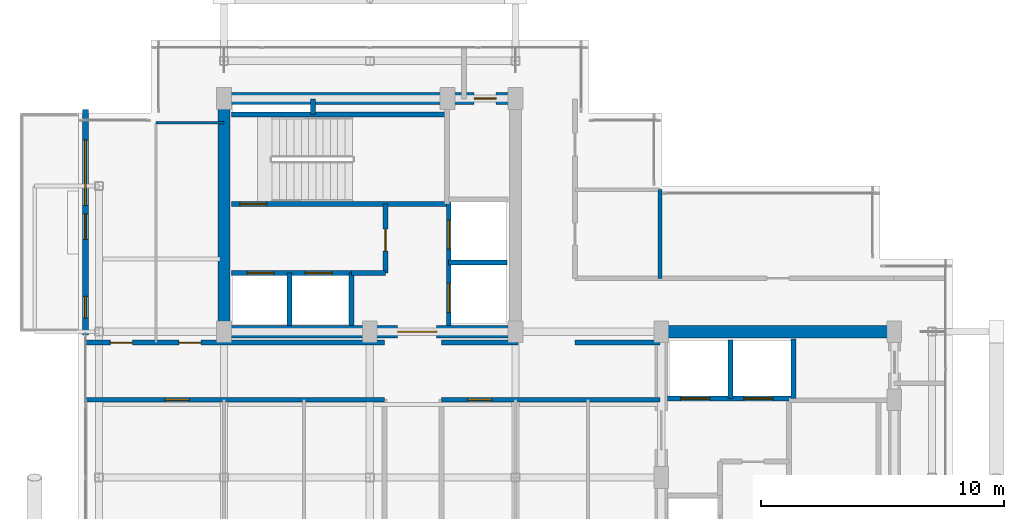
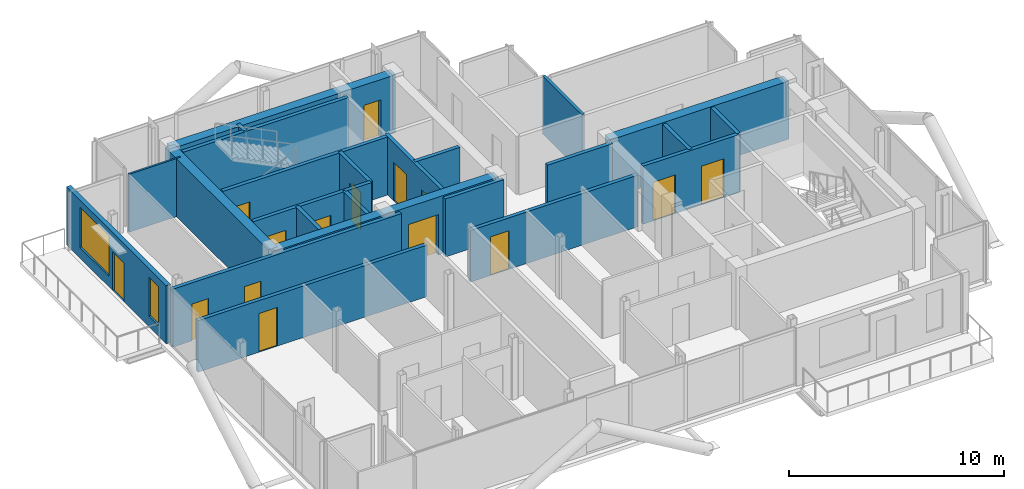
# One storey, part 16 of 19: 25 walls, 15 doors, 2 windows, 17 openings.
"""IFC4 building model written with IfcOpenShell, lengths in metres."""

from ifc_helpers import new_model, si_unit, direction, frame, frame_2d, origin, place, context, subcontext, project, spatial, rectangle, extrude, material, layer, layer_set, type_object, element, fill, save


model = new_model("IFC4")

# Units and contexts
model_context = context("Model", 3, precision=1e-05, world=origin(), true_north=direction((0.0, 1.0)))
body_context = subcontext(model_context, "Body", "Model", "MODEL_VIEW")
ifc_project = project(units=[si_unit("LENGTHUNIT", "METRE"), si_unit("AREAUNIT", "SQUARE_METRE"), si_unit("VOLUMEUNIT", "CUBIC_METRE"), si_unit("PLANEANGLEUNIT", "RADIAN"), si_unit("MASSUNIT", "GRAM", prefix="KILO"), si_unit("THERMODYNAMICTEMPERATUREUNIT", "KELVIN"), si_unit("POWERUNIT", "WATT")], contexts=[model_context])

# Site, building, storey
site_placement = place(None, origin())
site = spatial("IfcSite", under=ifc_project, at=site_placement, CompositionType="ELEMENT")
building_placement = place(site_placement, origin())
building = spatial("IfcBuilding", under=site, at=building_placement, Name="Svarakhadi Broadcast Tower", CompositionType="ELEMENT")
storey_placement = place(building_placement, frame((0.0, 0.0, 257.199951171875)))
storey = spatial("IfcBuildingStorey", under=building, at=storey_placement, Name="L64", CompositionType="ELEMENT", Elevation=257.199951171875)

# Wall, openings, door, windows
ifc_material_1 = material(Name="Concrete C40/50 (IS 456 M50)", Category="concrete")
ifc_layer_1 = layer(ifc_material_1, 0.239990234375)
ifc_layer_set_1 = layer_set([ifc_layer_1], Name="Concrete C40/50 (IS 456 M50)")
wall_type_1 = type_object("IfcWallType", Name="Wall_Ext_240", PredefinedType="SOLIDWALL", material=ifc_layer_set_1)
wall_1_placement = place(storey_placement, frame((0.300048828125, 17.85498046875, 0.0), z_axis=(0.0, 0.0, 1.0), x_axis=(0.0, 1.0, 0.0)))
wall_1 = element("IfcWall", 1, at=wall_1_placement, inside=storey, type_object=wall_type_1, Name="L64 West Tree Balcony Spandrel Wall", PredefinedType="SOLIDWALL", context=body_context, shape_type="SweptSolid", body=[
    extrude(rectangle(XDim=9.2900390625, YDim=0.239990234375, at=frame_2d((4.64501953125, 0.0))), origin(), (0.0, 0.0, 1.0), 3.300048828125),
])
opening_1_placement = place(wall_1_placement, frame((3.945068359375, 0.0, 0.0)))
opening_1 = element("IfcOpeningElement", 2, at=opening_1_placement, cuts=wall_1, Name="Opening ED-05", PredefinedType="OPENING", context=body_context, shape_type="SweptSolid", body=[
    extrude(rectangle(XDim=1.050048828125, YDim=2.199951171875, at=frame_2d((0.52490234375, 1.10009765625))), frame((0.0, 0.1298828125, 0.0), z_axis=(0.0, -1.0, 0.0), x_axis=(1.0, 0.0, 0.0)), (0.0, 0.0, 1.0), 0.260009765625),
])
opening_2_placement = place(wall_1_placement, frame((5.344970703125, 0.0, 0.60009765625)))
opening_2 = element("IfcOpeningElement", 3, at=opening_2_placement, cuts=wall_1, Name="Opening WN-07", PredefinedType="OPENING", context=body_context, shape_type="SweptSolid", body=[
    extrude(rectangle(XDim=2.699951171875, YDim=2.300048828125, at=frame_2d((1.35009765625, 1.14990234375))), frame((0.0, 0.1298828125, 0.0), z_axis=(0.0, -1.0, 0.0), x_axis=(1.0, 0.0, 0.0)), (0.0, 0.0, 1.0), 0.260009765625),
])
opening_3_placement = place(wall_1_placement, frame((0.699951171875, 0.0, 0.60009765625)))
opening_3 = element("IfcOpeningElement", 4, at=opening_3_placement, cuts=wall_1, Name="Opening WN-04", PredefinedType="OPENING", context=body_context, shape_type="SweptSolid", body=[
    extrude(rectangle(XDim=0.89990234375, YDim=2.199951171875, at=frame_2d((0.449951171875, 1.10009765625))), frame((0.0, 0.1298828125, 0.0), z_axis=(0.0, -1.0, 0.0), x_axis=(1.0, 0.0, 0.0)), (0.0, 0.0, 1.0), 0.260009765625),
])
ifc_material_2 = material(Name="Anodised Bronze Aluminium AA 6063-T6", Category="aluminium")
door_type_1 = type_object("IfcDoorType", Name="Door_Ext_ED05", OperationType="SINGLE_SWING_LEFT", PredefinedType="DOOR", material=ifc_material_2)
door_1_placement = place(opening_1_placement, origin())
door_1 = element("IfcDoor", 5, at=door_1_placement, inside=storey, type_object=door_type_1, Name="L64 West Tree Balcony Door", OperationType="SINGLE_SWING_LEFT", OverallHeight=2.199951171875, OverallWidth=1.050048828125, PredefinedType="DOOR", context=body_context, shape_type="SweptSolid", body=[
    extrude(rectangle(XDim=1.050048828125, YDim=2.199951171875, at=frame_2d((0.52490234375, 1.10009765625))), frame((0.0, 0.02490234375, 0.0), z_axis=(0.0, -1.0, 0.0), x_axis=(1.0, 0.0, 0.0)), (0.0, 0.0, 1.0), 0.050048828125),
])
fill(opening_1, door_1)
ifc_material_3 = material(Name="Double Low-E Laminated Acoustic Glass IGU 36 mm", Category="glass")
window_type_1 = type_object("IfcWindowType", Name="Win_Resi_WN07", PartitioningType="SINGLE_PANEL", PredefinedType="WINDOW", material=ifc_material_3)
window_1_placement = place(opening_2_placement, origin())
window_1 = element("IfcWindow", 6, at=window_1_placement, inside=storey, type_object=window_type_1, Name="L64 West Tree Balcony Window", OverallHeight=2.300048828125, OverallWidth=2.699951171875, PartitioningType="SINGLE_PANEL", PredefinedType="WINDOW", context=body_context, shape_type="SweptSolid", body=[
    extrude(rectangle(XDim=2.699951171875, YDim=2.300048828125, at=frame_2d((1.35009765625, 1.14990234375))), frame((0.0, 0.030029296875, 0.0), z_axis=(0.0, -1.0, 0.0), x_axis=(1.0, 0.0, 0.0)), (0.0, 0.0, 1.0), 0.06005859375),
])
fill(opening_2, window_1)
window_type_2 = type_object("IfcWindowType", Name="Win_Slot_WN04", PartitioningType="SINGLE_PANEL", PredefinedType="WINDOW", material=ifc_material_3)
window_2_placement = place(opening_3_placement, origin())
window_2 = element("IfcWindow", 7, at=window_2_placement, inside=storey, type_object=window_type_2, Name="L64 West Secondary Bedroom Slot Window", OverallHeight=2.199951171875, OverallWidth=0.89990234375, PartitioningType="SINGLE_PANEL", PredefinedType="WINDOW", context=body_context, shape_type="SweptSolid", body=[
    extrude(rectangle(XDim=0.89990234375, YDim=2.199951171875, at=frame_2d((0.449951171875, 1.10009765625))), frame((0.0, 0.030029296875, 0.0), z_axis=(0.0, -1.0, 0.0), x_axis=(1.0, 0.0, 0.0)), (0.0, 0.0, 1.0), 0.06005859375),
])
fill(opening_3, window_2)

# Wall
ifc_layer_2 = layer(ifc_material_1, 0.199951171875)
ifc_layer_set_2 = layer_set([ifc_layer_2], Name="Concrete C40/50 (IS 456 M50)")
wall_type_2 = type_object("IfcWallType", Name="Wall_Fire_200", PredefinedType="SOLIDWALL", material=ifc_layer_set_2)
wall_2_placement = place(storey_placement, frame((9.659912109375, 26.93994140625, 0.0), z_axis=(0.0, 0.0, 1.0), x_axis=(0.0, 1.0, 0.0)))
element("IfcWall", 8, at=wall_2_placement, inside=storey, type_object=wall_type_2, Name="L64 Wet Riser Shaft East Wall", PredefinedType="SOLIDWALL", context=body_context, shape_type="SweptSolid", body=[
    extrude(rectangle(XDim=0.64013671875, YDim=0.199951171875, at=frame_2d((0.320068359375, 0.0))), origin(), (0.0, 0.0, 1.0), 3.300048828125),
])

# Wall, opening, door
wall_3_placement = place(storey_placement, frame((12.60009765625, 15.199951171875, 0.0), z_axis=(0.0, 0.0, 1.0), x_axis=(-1.0, 0.0, 0.0)))
wall_3 = element("IfcWall", 9, at=wall_3_placement, inside=storey, type_object=wall_type_2, Name="L64 Upper Tower Concourse Wall", PredefinedType="SOLIDWALL", context=body_context, shape_type="SweptSolid", body=[
    extrude(rectangle(XDim=12.300048828125, YDim=0.199951171875, at=frame_2d((6.14990234375, 0.0))), origin(), (0.0, 0.0, 1.0), 2.93212890625),
])
opening_4_placement = place(wall_3_placement, frame((8.02490234375, 0.0, 0.0)))
opening_4 = element("IfcOpeningElement", 10, at=opening_4_placement, cuts=wall_3, Name="Opening D-09", PredefinedType="OPENING", context=body_context, shape_type="SweptSolid", body=[
    extrude(rectangle(XDim=1.0, YDim=2.199951171875, at=frame_2d((0.5, 1.10009765625))), frame((0.0, 0.10986328125, 0.0), z_axis=(0.0, -1.0, 0.0), x_axis=(1.0, 0.0, 0.0)), (0.0, 0.0, 1.0), 0.219970703125),
])
ifc_material_4 = material(Name="Solid-Core Teak Veneer Acoustic Timber Leaf", Category="wood")
door_type_2 = type_object("IfcDoorType", Name="Door_Suite_D09", OperationType="SINGLE_SWING_RIGHT", PredefinedType="DOOR", material=ifc_material_4)
door_2_placement = place(opening_4_placement, origin())
door_2 = element("IfcDoor", 11, at=door_2_placement, inside=storey, type_object=door_type_2, Name="L64 Apartment A Entrance Door", OperationType="SINGLE_SWING_RIGHT", OverallHeight=2.199951171875, OverallWidth=1.0, PredefinedType="DOOR", context=body_context, shape_type="SweptSolid", body=[
    extrude(rectangle(XDim=1.0, YDim=2.199951171875, at=frame_2d((0.5, 1.10009765625))), frame((0.0, 0.02490234375, 0.0), z_axis=(0.0, -1.0, 0.0), x_axis=(1.0, 0.0, 0.0)), (0.0, 0.0, 1.0), 0.050048828125),
])
fill(opening_4, door_2)

# Wall, openings, doors
wall_4_placement = place(storey_placement, frame((0.300048828125, 17.550048828125, 0.0), z_axis=(0.0, 0.0, 1.0), x_axis=(1.0, 0.0, 0.0)))
wall_4 = element("IfcWall", 12, at=wall_4_placement, inside=storey, type_object=wall_type_2, Name="L64 Upper Tower Concourse Wall", PredefinedType="SOLIDWALL", context=body_context, shape_type="SweptSolid", body=[
    extrude(rectangle(XDim=12.300048828125, YDim=0.199951171875, at=frame_2d((6.14990234375, 0.0))), origin(), (0.0, 0.0, 1.0), 3.300048828125),
])
opening_5_placement = place(wall_4_placement, frame((1.02490234375, 0.0, 0.0)))
opening_5 = element("IfcOpeningElement", 13, at=opening_5_placement, cuts=wall_4, Name="Opening D-15", PredefinedType="OPENING", context=body_context, shape_type="SweptSolid", body=[
    extrude(rectangle(XDim=0.89990234375, YDim=2.10009765625, at=frame_2d((0.449951171875, 1.050048828125))), frame((0.0, 0.10986328125, 0.0), z_axis=(0.0, -1.0, 0.0), x_axis=(1.0, 0.0, 0.0)), (0.0, 0.0, 1.0), 0.219970703125),
])
opening_6_placement = place(wall_4_placement, frame((3.85009765625, 0.0, 0.0)))
opening_6 = element("IfcOpeningElement", 14, at=opening_6_placement, cuts=wall_4, Name="Opening D-14", PredefinedType="OPENING", context=body_context, shape_type="SweptSolid", body=[
    extrude(rectangle(XDim=0.89990234375, YDim=2.10009765625, at=frame_2d((0.449951171875, 1.050048828125))), frame((0.0, 0.10986328125, 0.0), z_axis=(0.0, -1.0, 0.0), x_axis=(1.0, 0.0, 0.0)), (0.0, 0.0, 1.0), 0.219970703125),
])
door_type_3 = type_object("IfcDoorType", Name="Door_Int_D14", OperationType="SINGLE_SWING_LEFT", PredefinedType="DOOR", material=ifc_material_4)
door_3_placement = place(opening_6_placement, origin())
door_3 = element("IfcDoor", 15, at=door_3_placement, inside=storey, type_object=door_type_3, Name="L64 Residents Catering Kitchen Door", OperationType="SINGLE_SWING_LEFT", OverallHeight=2.10009765625, OverallWidth=0.89990234375, PredefinedType="DOOR", context=body_context, shape_type="SweptSolid", body=[
    extrude(rectangle(XDim=0.89990234375, YDim=2.10009765625, at=frame_2d((0.449951171875, 1.050048828125))), frame((0.0, 0.02490234375, 0.0), z_axis=(0.0, -1.0, 0.0), x_axis=(1.0, 0.0, 0.0)), (0.0, 0.0, 1.0), 0.050048828125),
])
fill(opening_6, door_3)
door_type_4 = type_object("IfcDoorType", Name="Door_Int_D15", OperationType="SINGLE_SWING_RIGHT", PredefinedType="DOOR", material=ifc_material_4)
door_4_placement = place(opening_5_placement, origin())
door_4 = element("IfcDoor", 16, at=door_4_placement, inside=storey, type_object=door_type_4, Name="L64 Residents Private Dining Salon Door", OperationType="SINGLE_SWING_RIGHT", OverallHeight=2.10009765625, OverallWidth=0.89990234375, PredefinedType="DOOR", context=body_context, shape_type="SweptSolid", body=[
    extrude(rectangle(XDim=0.89990234375, YDim=2.10009765625, at=frame_2d((0.449951171875, 1.050048828125))), frame((0.0, 0.02490234375, 0.0), z_axis=(0.0, -1.0, 0.0), x_axis=(1.0, 0.0, 0.0)), (0.0, 0.0, 1.0), 0.050048828125),
])
fill(opening_5, door_4)

# Walls
wall_5_placement = place(storey_placement, frame((14.949951171875, 17.550048828125, 0.0), z_axis=(0.0, 0.0, 1.0), x_axis=(1.0, 0.0, 0.0)))
element("IfcWall", 17, at=wall_5_placement, inside=storey, type_object=wall_type_2, Name="L64 Upper Tower Concourse Wall", PredefinedType="SOLIDWALL", context=body_context, shape_type="SweptSolid", body=[
    extrude(rectangle(XDim=3.150146484375, YDim=0.199951171875, at=frame_2d((1.5751953125, 0.0))), origin(), (0.0, 0.0, 1.0), 3.300048828125),
])
wall_6_placement = place(storey_placement, frame((20.449951171875, 17.550048828125, 0.0), z_axis=(0.0, 0.0, 1.0), x_axis=(1.0, 0.0, 0.0)))
element("IfcWall", 18, at=wall_6_placement, inside=storey, type_object=wall_type_2, Name="L64 Upper Tower Concourse Wall", PredefinedType="SOLIDWALL", context=body_context, shape_type="SweptSolid", body=[
    extrude(rectangle(XDim=3.5, YDim=0.199951171875, at=frame_2d((1.75, 0.0))), origin(), (0.0, 0.0, 1.0), 3.300048828125),
])

# Wall, opening, door
wall_7_placement = place(storey_placement, frame((23.949951171875, 15.199951171875, 0.0), z_axis=(0.0, 0.0, 1.0), x_axis=(-1.0, 0.0, 0.0)))
wall_7 = element("IfcWall", 19, at=wall_7_placement, inside=storey, type_object=wall_type_2, Name="L64 Upper Tower Concourse Wall", PredefinedType="SOLIDWALL", context=body_context, shape_type="SweptSolid", body=[
    extrude(rectangle(XDim=9.0, YDim=0.199951171875, at=frame_2d((4.5, 0.0))), origin(), (0.0, 0.0, 1.0), 2.93212890625),
])
opening_7_placement = place(wall_7_placement, frame((6.925048828125, 0.0, 0.0)))
opening_7 = element("IfcOpeningElement", 20, at=opening_7_placement, cuts=wall_7, Name="Opening D-09", PredefinedType="OPENING", context=body_context, shape_type="SweptSolid", body=[
    extrude(rectangle(XDim=1.0, YDim=2.199951171875, at=frame_2d((0.5, 1.10009765625))), frame((0.0, 0.10986328125, 0.0), z_axis=(0.0, -1.0, 0.0), x_axis=(1.0, 0.0, 0.0)), (0.0, 0.0, 1.0), 0.219970703125),
])
door_5_placement = place(opening_7_placement, origin())
door_5 = element("IfcDoor", 21, at=door_5_placement, inside=storey, type_object=door_type_2, Name="L64 Apartment B Entrance Door", OperationType="SINGLE_SWING_RIGHT", OverallHeight=2.199951171875, OverallWidth=1.0, PredefinedType="DOOR", context=body_context, shape_type="SweptSolid", body=[
    extrude(rectangle(XDim=1.0, YDim=2.199951171875, at=frame_2d((0.5, 1.10009765625))), frame((0.0, 0.02490234375, 0.0), z_axis=(0.0, -1.0, 0.0), x_axis=(1.0, 0.0, 0.0)), (0.0, 0.0, 1.0), 0.050048828125),
])
fill(opening_7, door_5)

# Walls
ifc_material_5 = material(Name="Fire-Rated Moisture-Resistant Gypsum Board Partition", Category="gypsum")
ifc_layer_3 = layer(ifc_material_5, 0.10009765625)
ifc_layer_set_3 = layer_set([ifc_layer_3], Name="Fire-Rated Moisture-Resistant Gypsum Board Partition")
wall_type_3 = type_object("IfcWallType", Name="Wall_Part_100", PredefinedType="PARTITIONING", material=ifc_layer_set_3)
wall_8_placement = place(storey_placement, frame((3.199951171875, 26.60009765625, 0.0), z_axis=(0.0, 0.0, 1.0), x_axis=(1.0, 0.0, 0.0)))
element("IfcWall", 22, at=wall_8_placement, inside=storey, type_object=wall_type_3, Name="L64 Residents Catering Kitchen Wall", PredefinedType="PARTITIONING", context=body_context, shape_type="SweptSolid", body=[
    extrude(rectangle(XDim=2.800048828125, YDim=0.10009765625, at=frame_2d((1.39990234375, 0.0))), origin(), (0.0, 0.0, 1.0), 3.300048828125),
])
ifc_material_6 = material(Name="Autoclaved Aerated Concrete Blockwork 150 mm", Category="masonry")
ifc_layer_4 = layer(ifc_material_6, 0.14990234375)
ifc_layer_set_4 = layer_set([ifc_layer_4], Name="Autoclaved Aerated Concrete Blockwork 150 mm")
wall_type_4 = type_object("IfcWallType", Name="Wall_Part_150", PredefinedType="PARTITIONING", material=ifc_layer_set_4)
wall_9_placement = place(storey_placement, frame((23.949951171875, 20.199951171875, 0.0), z_axis=(0.0, 0.0, 1.0), x_axis=(0.0, 1.0, 0.0)))
element("IfcWall", 23, at=wall_9_placement, inside=storey, type_object=wall_type_4, Name="L64 Accessible Visitor Washroom WC Wall", PredefinedType="PARTITIONING", context=body_context, shape_type="SweptSolid", body=[
    extrude(rectangle(XDim=3.650146484375, YDim=0.14990234375, at=frame_2d((1.8251953125, 0.0))), origin(), (0.0, 0.0, 1.0), 3.300048828125),
])

# Wall, opening, door
ifc_material_7 = material(Name="Concrete C50/60 (IS 456 M60)", Category="concrete")
ifc_layer_5 = layer(ifc_material_7, 0.199951171875)
ifc_layer_set_5 = layer_set([ifc_layer_5], Name="Concrete C50/60 (IS 456 M60)")
wall_type_5 = type_object("IfcWallType", Name="Wall_Shear_200", PredefinedType="SHEAR", material=ifc_layer_set_5)
wall_10_placement = place(storey_placement, frame((6.300048828125, 23.260009765625, 0.0), z_axis=(0.0, 0.0, 1.0), x_axis=(1.0, 0.0, 0.0)))
wall_10 = element("IfcWall", 24, at=wall_10_placement, inside=storey, type_object=wall_type_5, Name="L64 Stair ST-01 South RC Shaft Wall", PredefinedType="SHEAR", context=body_context, shape_type="SweptSolid", body=[
    extrude(rectangle(XDim=8.8798828125, YDim=0.199951171875, at=frame_2d((4.43994140625, 0.0))), origin(), (0.0, 0.0, 1.0), 3.300048828125),
])
opening_8_placement = place(wall_10_placement, frame((0.35009765625, 0.0, 0.0)))
opening_8 = element("IfcOpeningElement", 25, at=opening_8_placement, cuts=wall_10, Name="Opening D-01", PredefinedType="OPENING", context=body_context, shape_type="SweptSolid", body=[
    extrude(rectangle(XDim=1.10009765625, YDim=2.199951171875, at=frame_2d((0.550048828125, 1.10009765625))), frame((0.0, 0.10986328125, 0.0), z_axis=(0.0, -1.0, 0.0), x_axis=(1.0, 0.0, 0.0)), (0.0, 0.0, 1.0), 0.219970703125),
])
ifc_material_8 = material(Name="Galvanised Powder-Coated Fire-Rated Steel Leaf", Category="steel")
door_type_5 = type_object("IfcDoorType", Name="Door_Stair_D01", OperationType="SINGLE_SWING_LEFT", PredefinedType="DOOR", material=ifc_material_8)
door_6_placement = place(opening_8_placement, origin())
door_6 = element("IfcDoor", 26, at=door_6_placement, inside=storey, type_object=door_type_5, Name="L64 Protected Exit Stair ST-01 Fire Door", OperationType="SINGLE_SWING_LEFT", OverallHeight=2.199951171875, OverallWidth=1.10009765625, PredefinedType="DOOR", context=body_context, shape_type="SweptSolid", body=[
    extrude(rectangle(XDim=1.10009765625, YDim=2.199951171875, at=frame_2d((0.550048828125, 1.10009765625))), frame((0.0, 0.02490234375, 0.0), z_axis=(0.0, -1.0, 0.0), x_axis=(1.0, 0.0, 0.0)), (0.0, 0.0, 1.0), 0.050048828125),
])
fill(opening_8, door_6)

# Wall
wall_11_placement = place(storey_placement, frame((6.300048828125, 26.93994140625, 0.0), z_axis=(0.0, 0.0, 1.0), x_axis=(1.0, 0.0, 0.0)))
element("IfcWall", 27, at=wall_11_placement, inside=storey, type_object=wall_type_5, Name="L64 Stair ST-01 North RC Shaft Wall", PredefinedType="SHEAR", context=body_context, shape_type="SweptSolid", body=[
    extrude(rectangle(XDim=8.8798828125, YDim=0.199951171875, at=frame_2d((4.43994140625, 0.0))), origin(), (0.0, 0.0, 1.0), 3.300048828125),
])

# Wall, openings, doors
wall_12_placement = place(storey_placement, frame((6.300048828125, 20.419921875, 0.0), z_axis=(0.0, 0.0, 1.0), x_axis=(1.0, 0.0, 0.0)))
wall_12 = element("IfcWall", 28, at=wall_12_placement, inside=storey, type_object=wall_type_5, Name="L64 Firefighting Lift LF-01/02 Shaft Wall", PredefinedType="SHEAR", context=body_context, shape_type="SweptSolid", body=[
    extrude(rectangle(XDim=4.949951171875, YDim=0.199951171875, at=frame_2d((2.47509765625, 0.0))), origin(), (0.0, 0.0, 1.0), 3.300048828125),
])
opening_9_placement = place(wall_12_placement, frame((0.64990234375, 0.0, 0.0)))
opening_9 = element("IfcOpeningElement", 29, at=opening_9_placement, cuts=wall_12, Name="Opening LD-01", PredefinedType="OPENING", context=body_context, shape_type="SweptSolid", body=[
    extrude(rectangle(XDim=1.10009765625, YDim=2.199951171875, at=frame_2d((0.550048828125, 1.10009765625))), frame((0.0, 0.10986328125, 0.0), z_axis=(0.0, -1.0, 0.0), x_axis=(1.0, 0.0, 0.0)), (0.0, 0.0, 1.0), 0.219970703125),
])
opening_10_placement = place(wall_12_placement, frame((3.050048828125, 0.0, 0.0)))
opening_10 = element("IfcOpeningElement", 30, at=opening_10_placement, cuts=wall_12, Name="Opening LD-01", PredefinedType="OPENING", context=body_context, shape_type="SweptSolid", body=[
    extrude(rectangle(XDim=1.10009765625, YDim=2.199951171875, at=frame_2d((0.550048828125, 1.10009765625))), frame((0.0, 0.10986328125, 0.0), z_axis=(0.0, -1.0, 0.0), x_axis=(1.0, 0.0, 0.0)), (0.0, 0.0, 1.0), 0.219970703125),
])
door_type_6 = type_object("IfcDoorType", Name="Door_Lift_LD01", OperationType="SLIDING_TO_LEFT", PredefinedType="DOOR", material=ifc_material_8)
door_7_placement = place(opening_9_placement, origin())
door_7 = element("IfcDoor", 31, at=door_7_placement, inside=storey, type_object=door_type_6, Name="L64 Firefighting Lift LF-01 Landing Door", OperationType="SLIDING_TO_LEFT", OverallHeight=2.199951171875, OverallWidth=1.10009765625, PredefinedType="DOOR", context=body_context, shape_type="SweptSolid", body=[
    extrude(rectangle(XDim=1.10009765625, YDim=2.199951171875, at=frame_2d((0.550048828125, 1.10009765625))), frame((0.0, 0.02490234375, 0.0), z_axis=(0.0, -1.0, 0.0), x_axis=(1.0, 0.0, 0.0)), (0.0, 0.0, 1.0), 0.050048828125),
])
fill(opening_9, door_7)
door_8_placement = place(opening_10_placement, origin())
door_8 = element("IfcDoor", 32, at=door_8_placement, inside=storey, type_object=door_type_6, Name="L64 Firefighting Lift LF-02 Landing Door", OperationType="SLIDING_TO_LEFT", OverallHeight=2.199951171875, OverallWidth=1.10009765625, PredefinedType="DOOR", context=body_context, shape_type="SweptSolid", body=[
    extrude(rectangle(XDim=1.10009765625, YDim=2.199951171875, at=frame_2d((0.550048828125, 1.10009765625))), frame((0.0, 0.02490234375, 0.0), z_axis=(0.0, -1.0, 0.0), x_axis=(1.0, 0.0, 0.0)), (0.0, 0.0, 1.0), 0.050048828125),
])
fill(opening_10, door_8)

# Walls
for number, where, z_axis, x_axis, name in (
    (33, (8.699951171875, 18.25, 0.0), (0.0, 0.0, 1.0), (0.0, 1.0, 0.0), "L64 Firefighting Lift LF-01/02 Divider Wall"),
    (34, (11.25, 18.25, 0.0), (0.0, 0.0, 1.0), (0.0, 1.0, 0.0), "L64 Firefighting Lift LF-02 East Wall"),
):
    element("IfcWall", number, at=place(storey_placement, frame(where, z_axis=z_axis, x_axis=x_axis)), inside=storey, type_object=wall_type_5, Name=name, PredefinedType="SHEAR", context=body_context, shape_type="SweptSolid", body=[
        extrude(rectangle(XDim=2.169921875, YDim=0.199951171875, at=frame_2d((1.0849609375, 0.0))), origin(), (0.0, 0.0, 1.0), 3.300048828125),
    ])
wall_13_placement = place(storey_placement, frame((11.25, 20.419921875, 0.0), z_axis=(0.0, 0.0, 1.0), x_axis=(1.0, 0.0, 0.0)))
element("IfcWall", 35, at=wall_13_placement, inside=storey, type_object=wall_type_5, Name="L64 West Firefighting Lobby South Wall", PredefinedType="SHEAR", context=body_context, shape_type="SweptSolid", body=[
    extrude(rectangle(XDim=1.39990234375, YDim=0.199951171875, at=frame_2d((0.699951171875, 0.0))), origin(), (0.0, 0.0, 1.0), 3.300048828125),
])

# Wall, opening, door
wall_14_placement = place(storey_placement, frame((12.64990234375, 20.419921875, 0.0), z_axis=(0.0, 0.0, 1.0), x_axis=(0.0, 1.0, 0.0)))
wall_14 = element("IfcWall", 36, at=wall_14_placement, inside=storey, type_object=wall_type_5, Name="L64 West Firefighting Lobby East Wall", PredefinedType="SHEAR", context=body_context, shape_type="SweptSolid", body=[
    extrude(rectangle(XDim=2.840087890625, YDim=0.199951171875, at=frame_2d((1.419921875, 0.0))), origin(), (0.0, 0.0, 1.0), 3.300048828125),
])
opening_11_placement = place(wall_14_placement, frame((0.89990234375, 0.0, 0.0)))
opening_11 = element("IfcOpeningElement", 37, at=opening_11_placement, cuts=wall_14, Name="Opening D-04", PredefinedType="OPENING", context=body_context, shape_type="SweptSolid", body=[
    extrude(rectangle(XDim=0.89990234375, YDim=2.14990234375, at=frame_2d((0.449951171875, 1.074951171875))), frame((0.0, 0.10986328125, 0.0), z_axis=(0.0, -1.0, 0.0), x_axis=(1.0, 0.0, 0.0)), (0.0, 0.0, 1.0), 0.219970703125),
])
door_type_7 = type_object("IfcDoorType", Name="Door_Fire_D04", OperationType="SINGLE_SWING_RIGHT", PredefinedType="DOOR", material=ifc_material_8)
door_9_placement = place(opening_11_placement, origin())
door_9 = element("IfcDoor", 38, at=door_9_placement, inside=storey, type_object=door_type_7, Name="L64 West Firefighting Lobby Fire Door", OperationType="SINGLE_SWING_RIGHT", OverallHeight=2.14990234375, OverallWidth=0.89990234375, PredefinedType="DOOR", context=body_context, shape_type="SweptSolid", body=[
    extrude(rectangle(XDim=0.89990234375, YDim=2.14990234375, at=frame_2d((0.449951171875, 1.074951171875))), frame((0.0, 0.02490234375, 0.0), z_axis=(0.0, -1.0, 0.0), x_axis=(1.0, 0.0, 0.0)), (0.0, 0.0, 1.0), 0.050048828125),
])
fill(opening_11, door_9)

# Wall, openings, doors
wall_15_placement = place(storey_placement, frame((15.25, 18.25, 0.0), z_axis=(0.0, 0.0, 1.0), x_axis=(0.0, 1.0, 0.0)))
wall_15 = element("IfcWall", 39, at=wall_15_placement, inside=storey, type_object=wall_type_5, Name="L64 High-Rise Lift LF-13/14 West Shaft Wall", PredefinedType="SHEAR", context=body_context, shape_type="SweptSolid", body=[
    extrude(rectangle(XDim=5.199951171875, YDim=0.199951171875, at=frame_2d((2.60009765625, 0.0))), origin(), (0.0, 0.0, 1.0), 3.300048828125),
])
opening_12_placement = place(wall_15_placement, frame((0.550048828125, 0.0, 0.0)))
opening_12 = element("IfcOpeningElement", 40, at=opening_12_placement, cuts=wall_15, Name="Opening LD-02", PredefinedType="OPENING", context=body_context, shape_type="SweptSolid", body=[
    extrude(rectangle(XDim=1.199951171875, YDim=2.199951171875, at=frame_2d((0.60009765625, 1.10009765625))), frame((0.0, 0.10986328125, 0.0), z_axis=(0.0, -1.0, 0.0), x_axis=(1.0, 0.0, 0.0)), (0.0, 0.0, 1.0), 0.219970703125),
])
opening_13_placement = place(wall_15_placement, frame((3.14990234375, 0.0, 0.0)))
opening_13 = element("IfcOpeningElement", 41, at=opening_13_placement, cuts=wall_15, Name="Opening LD-02", PredefinedType="OPENING", context=body_context, shape_type="SweptSolid", body=[
    extrude(rectangle(XDim=1.199951171875, YDim=2.199951171875, at=frame_2d((0.60009765625, 1.10009765625))), frame((0.0, 0.10986328125, 0.0), z_axis=(0.0, -1.0, 0.0), x_axis=(1.0, 0.0, 0.0)), (0.0, 0.0, 1.0), 0.219970703125),
])
door_type_8 = type_object("IfcDoorType", Name="Door_Lift_LD02", OperationType="SLIDING_TO_RIGHT", PredefinedType="DOOR", material=ifc_material_8)
door_10_placement = place(opening_12_placement, origin())
door_10 = element("IfcDoor", 42, at=door_10_placement, inside=storey, type_object=door_type_8, Name="L64 High-Rise Lift LF-13 Landing Door", OperationType="SLIDING_TO_RIGHT", OverallHeight=2.199951171875, OverallWidth=1.199951171875, PredefinedType="DOOR", context=body_context, shape_type="SweptSolid", body=[
    extrude(rectangle(XDim=1.199951171875, YDim=2.199951171875, at=frame_2d((0.60009765625, 1.10009765625))), frame((0.0, 0.02490234375, 0.0), z_axis=(0.0, -1.0, 0.0), x_axis=(1.0, 0.0, 0.0)), (0.0, 0.0, 1.0), 0.050048828125),
])
fill(opening_12, door_10)
door_11_placement = place(opening_13_placement, origin())
door_11 = element("IfcDoor", 43, at=door_11_placement, inside=storey, type_object=door_type_8, Name="L64 High-Rise Lift LF-14 Landing Door", OperationType="SLIDING_TO_RIGHT", OverallHeight=2.199951171875, OverallWidth=1.199951171875, PredefinedType="DOOR", context=body_context, shape_type="SweptSolid", body=[
    extrude(rectangle(XDim=1.199951171875, YDim=2.199951171875, at=frame_2d((0.60009765625, 1.10009765625))), frame((0.0, 0.02490234375, 0.0), z_axis=(0.0, -1.0, 0.0), x_axis=(1.0, 0.0, 0.0)), (0.0, 0.0, 1.0), 0.050048828125),
])
fill(opening_13, door_11)

# Wall
wall_16_placement = place(storey_placement, frame((15.25, 20.85009765625, 0.0), z_axis=(0.0, 0.0, 1.0), x_axis=(1.0, 0.0, 0.0)))
element("IfcWall", 44, at=wall_16_placement, inside=storey, type_object=wall_type_5, Name="L64 High-Rise Lift LF-13/14 Divider", PredefinedType="SHEAR", context=body_context, shape_type="SweptSolid", body=[
    extrude(rectangle(XDim=2.39990234375, YDim=0.199951171875, at=frame_2d((1.199951171875, 0.0))), origin(), (0.0, 0.0, 1.0), 3.300048828125),
])

# Wall, openings, doors
wall_17_placement = place(storey_placement, frame((24.25, 15.25, 0.0), z_axis=(0.0, 0.0, 1.0), x_axis=(1.0, 0.0, 0.0)))
wall_17 = element("IfcWall", 45, at=wall_17_placement, inside=storey, type_object=wall_type_5, Name="L64 High-Rise Lift LF-15/16 South Shaft Wall", PredefinedType="SHEAR", context=body_context, shape_type="SweptSolid", body=[
    extrude(rectangle(XDim=5.199951171875, YDim=0.199951171875, at=frame_2d((2.60009765625, 0.0))), origin(), (0.0, 0.0, 1.0), 3.300048828125),
])
opening_14_placement = place(wall_17_placement, frame((0.550048828125, 0.0, 0.0)))
opening_14 = element("IfcOpeningElement", 46, at=opening_14_placement, cuts=wall_17, Name="Opening LD-02", PredefinedType="OPENING", context=body_context, shape_type="SweptSolid", body=[
    extrude(rectangle(XDim=1.199951171875, YDim=2.199951171875, at=frame_2d((0.60009765625, 1.10009765625))), frame((0.0, 0.10986328125, 0.0), z_axis=(0.0, -1.0, 0.0), x_axis=(1.0, 0.0, 0.0)), (0.0, 0.0, 1.0), 0.219970703125),
])
opening_15_placement = place(wall_17_placement, frame((3.14990234375, 0.0, 0.0)))
opening_15 = element("IfcOpeningElement", 47, at=opening_15_placement, cuts=wall_17, Name="Opening LD-02", PredefinedType="OPENING", context=body_context, shape_type="SweptSolid", body=[
    extrude(rectangle(XDim=1.199951171875, YDim=2.199951171875, at=frame_2d((0.60009765625, 1.10009765625))), frame((0.0, 0.10986328125, 0.0), z_axis=(0.0, -1.0, 0.0), x_axis=(1.0, 0.0, 0.0)), (0.0, 0.0, 1.0), 0.219970703125),
])
door_12_placement = place(opening_14_placement, origin())
door_12 = element("IfcDoor", 48, at=door_12_placement, inside=storey, type_object=door_type_8, Name="L64 High-Rise Lift LF-15 Landing Door", OperationType="SLIDING_TO_RIGHT", OverallHeight=2.199951171875, OverallWidth=1.199951171875, PredefinedType="DOOR", context=body_context, shape_type="SweptSolid", body=[
    extrude(rectangle(XDim=1.199951171875, YDim=2.199951171875, at=frame_2d((0.60009765625, 1.10009765625))), frame((0.0, 0.02490234375, 0.0), z_axis=(0.0, -1.0, 0.0), x_axis=(1.0, 0.0, 0.0)), (0.0, 0.0, 1.0), 0.050048828125),
])
fill(opening_14, door_12)
door_13_placement = place(opening_15_placement, origin())
door_13 = element("IfcDoor", 49, at=door_13_placement, inside=storey, type_object=door_type_8, Name="L64 High-Rise Lift LF-16 Landing Door", OperationType="SLIDING_TO_RIGHT", OverallHeight=2.199951171875, OverallWidth=1.199951171875, PredefinedType="DOOR", context=body_context, shape_type="SweptSolid", body=[
    extrude(rectangle(XDim=1.199951171875, YDim=2.199951171875, at=frame_2d((0.60009765625, 1.10009765625))), frame((0.0, 0.02490234375, 0.0), z_axis=(0.0, -1.0, 0.0), x_axis=(1.0, 0.0, 0.0)), (0.0, 0.0, 1.0), 0.050048828125),
])
fill(opening_15, door_13)

# Walls
wall_18_placement = place(storey_placement, frame((26.85009765625, 15.25, 0.0), z_axis=(0.0, 0.0, 1.0), x_axis=(0.0, 1.0, 0.0)))
element("IfcWall", 50, at=wall_18_placement, inside=storey, type_object=wall_type_5, Name="L64 High-Rise Lift LF-15/16 Divider", PredefinedType="SHEAR", context=body_context, shape_type="SweptSolid", body=[
    extrude(rectangle(XDim=2.39990234375, YDim=0.199951171875, at=frame_2d((1.199951171875, 0.0))), origin(), (0.0, 0.0, 1.0), 3.300048828125),
])
wall_19_placement = place(storey_placement, frame((29.449951171875, 15.25, 0.0), z_axis=(0.0, 0.0, 1.0), x_axis=(0.0, 1.0, 0.0)))
element("IfcWall", 51, at=wall_19_placement, inside=storey, type_object=wall_type_5, Name="L64 High-Rise Lift LF-15/16 East Wall", PredefinedType="SHEAR", context=body_context, shape_type="SweptSolid", body=[
    extrude(rectangle(XDim=2.449951171875, YDim=0.199951171875, at=frame_2d((1.22509765625, 0.0))), origin(), (0.0, 0.0, 1.0), 3.300048828125),
])

# Wall, opening, door
ifc_layer_6 = layer(ifc_material_7, 0.5)
ifc_layer_set_6 = layer_set([ifc_layer_6], Name="Concrete C50/60 (IS 456 M60)")
wall_type_6 = type_object("IfcWallType", Name="Wall_Shear_500", PredefinedType="SHEAR", material=ifc_layer_set_6)
wall_20_placement = place(storey_placement, frame((6.0, 18.0, 0.0), z_axis=(0.0, 0.0, 1.0), x_axis=(1.0, 0.0, 0.0)))
wall_20 = element("IfcWall", 52, at=wall_20_placement, inside=storey, type_object=wall_type_6, Name="L64 West Core South Shear Wall", PredefinedType="SHEAR", context=body_context, shape_type="SweptSolid", body=[
    extrude(rectangle(XDim=12.0, YDim=0.5, at=frame_2d((6.0, 0.0))), origin(), (0.0, 0.0, 1.0), 3.300048828125),
])
opening_16_placement = place(wall_20_placement, frame((7.14990234375, 0.0, 0.0)))
opening_16 = element("IfcOpeningElement", 53, at=opening_16_placement, cuts=wall_20, Name="Opening D-05", PredefinedType="OPENING", context=body_context, shape_type="SweptSolid", body=[
    extrude(rectangle(XDim=1.60009765625, YDim=2.300048828125, at=frame_2d((0.800048828125, 1.14990234375))), frame((0.0, 0.260009765625, 0.0), z_axis=(0.0, -1.0, 0.0), x_axis=(1.0, 0.0, 0.0)), (0.0, 0.0, 1.0), 0.52001953125),
])
door_type_9 = type_object("IfcDoorType", Name="Door_Lobby_D05", OperationType="DOUBLE_DOOR_SLIDING", PredefinedType="DOOR", material=ifc_material_2)
door_14_placement = place(opening_16_placement, origin())
door_14 = element("IfcDoor", 54, at=door_14_placement, inside=storey, type_object=door_type_9, Name="L64 West Core Passenger Lift Lobby Entrance Door", OperationType="DOUBLE_DOOR_SLIDING", OverallHeight=2.300048828125, OverallWidth=1.60009765625, PredefinedType="DOOR", context=body_context, shape_type="SweptSolid", body=[
    extrude(rectangle(XDim=1.60009765625, YDim=2.300048828125, at=frame_2d((0.800048828125, 1.14990234375))), frame((0.0, 0.02490234375, 0.0), z_axis=(0.0, -1.0, 0.0), x_axis=(1.0, 0.0, 0.0)), (0.0, 0.0, 1.0), 0.050048828125),
])
fill(opening_16, door_14)

wall_21_placement = place(storey_placement, frame((6.0, 27.60009765625, 0.0), z_axis=(0.0, 0.0, 1.0), x_axis=(1.0, 0.0, 0.0)))
wall_21 = element("IfcWall", 55, at=wall_21_placement, inside=storey, type_object=wall_type_6, Name="L64 West Core North Shear Wall", PredefinedType="SHEAR", context=body_context, shape_type="SweptSolid", body=[
    extrude(rectangle(XDim=12.0, YDim=0.5, at=frame_2d((6.0, 0.0))), origin(), (0.0, 0.0, 1.0), 3.300048828125),
])
opening_17_placement = place(wall_21_placement, frame((10.300048828125, 0.0, 0.0)))
opening_17 = element("IfcOpeningElement", 56, at=opening_17_placement, cuts=wall_21, Name="Opening D-03", PredefinedType="OPENING", context=body_context, shape_type="SweptSolid", body=[
    extrude(rectangle(XDim=0.89990234375, YDim=2.14990234375, at=frame_2d((0.449951171875, 1.074951171875))), frame((0.0, 0.260009765625, 0.0), z_axis=(0.0, -1.0, 0.0), x_axis=(1.0, 0.0, 0.0)), (0.0, 0.0, 1.0), 0.52001953125),
])
door_type_10 = type_object("IfcDoorType", Name="Door_Fire_D03", OperationType="SINGLE_SWING_LEFT", PredefinedType="DOOR", material=ifc_material_8)
door_15_placement = place(opening_17_placement, origin())
door_15 = element("IfcDoor", 57, at=door_15_placement, inside=storey, type_object=door_type_10, Name="L64 Core Service Room West Door", OperationType="SINGLE_SWING_LEFT", OverallHeight=2.14990234375, OverallWidth=0.89990234375, PredefinedType="DOOR", context=body_context, shape_type="SweptSolid", body=[
    extrude(rectangle(XDim=0.89990234375, YDim=2.14990234375, at=frame_2d((0.449951171875, 1.074951171875))), frame((0.0, 0.02490234375, 0.0), z_axis=(0.0, -1.0, 0.0), x_axis=(1.0, 0.0, 0.0)), (0.0, 0.0, 1.0), 0.050048828125),
])
fill(opening_17, door_15)

# Walls
for number, where, z_axis, x_axis, name in (
    (58, (6.0, 18.0, 0.0), (0.0, 0.0, 1.0), (0.0, 1.0, 0.0), "L64 West Core West Shear Wall"),
    (59, (24.0, 18.0, 0.0), (0.0, 0.0, 1.0), (1.0, 0.0, 0.0), "L64 East Core North Shear Wall"),
):
    element("IfcWall", number, at=place(storey_placement, frame(where, z_axis=z_axis, x_axis=x_axis)), inside=storey, type_object=wall_type_6, Name=name, PredefinedType="SHEAR", context=body_context, shape_type="SweptSolid", body=[
        extrude(rectangle(XDim=9.60009765625, YDim=0.5, at=frame_2d((4.800048828125, 0.0))), origin(), (0.0, 0.0, 1.0), 3.300048828125),
    ])

save(model, "model.ifc")
